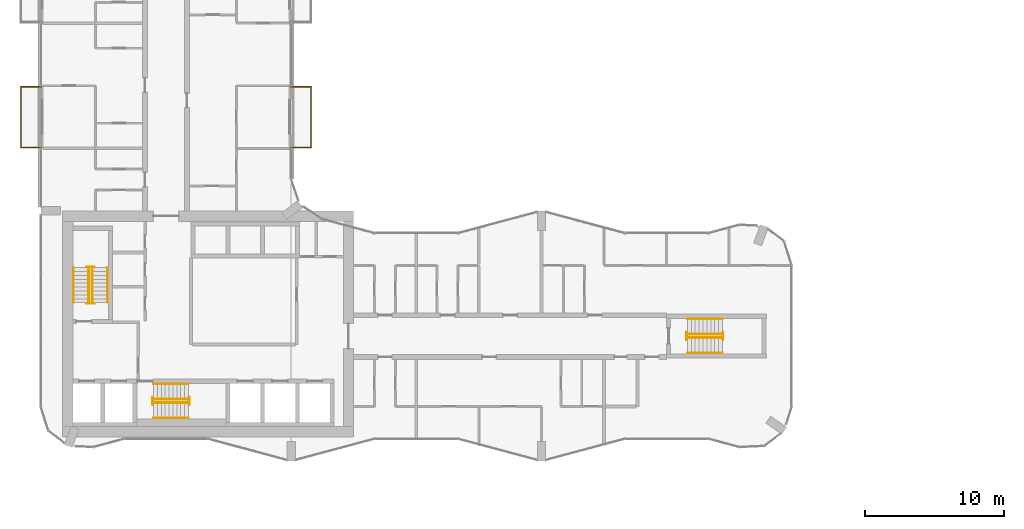
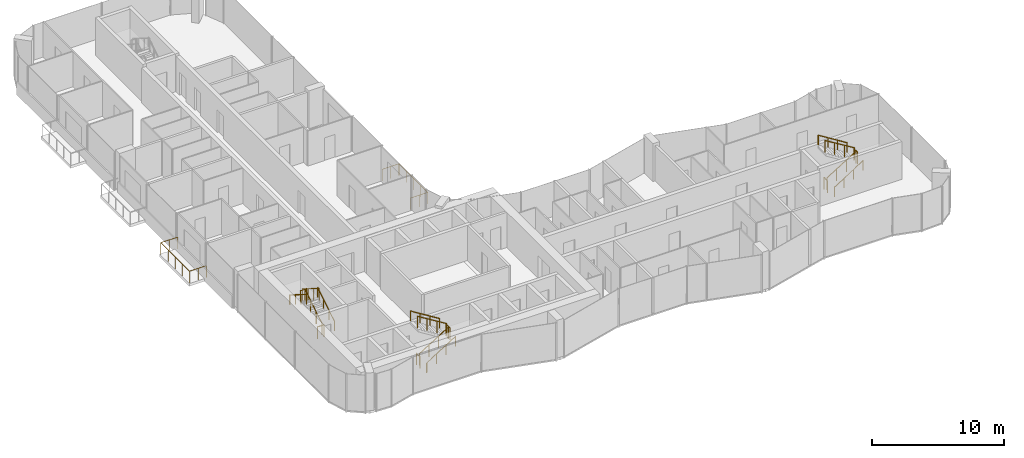
# One storey, part 21 of 23: 20 railings.
"""IFC4 building model written with IfcOpenShell, lengths in metres."""

from ifc_helpers import new_model, si_unit, direction, frame, origin, origin_2d, place, context, subcontext, project, spatial, circle, extrude, material, type_object, element, save


model = new_model("IFC4")

# Units and contexts
model_context = context("Model", 3, precision=1e-05, world=origin(), true_north=direction((0.0, 1.0)))
body_context = subcontext(model_context, "Body", "Model", "MODEL_VIEW")
ifc_project = project(units=[si_unit("LENGTHUNIT", "METRE"), si_unit("AREAUNIT", "SQUARE_METRE"), si_unit("VOLUMEUNIT", "CUBIC_METRE"), si_unit("PLANEANGLEUNIT", "RADIAN"), si_unit("MASSUNIT", "GRAM", prefix="KILO")], contexts=[model_context])

# Site, building, storey
site_placement = place(None, origin())
site = spatial("IfcSite", under=ifc_project, at=site_placement, CompositionType="ELEMENT")
building_placement = place(site_placement, origin())
building = spatial("IfcBuilding", under=site, at=building_placement, Name="Plateau Cross Towers", CompositionType="ELEMENT")
storey_placement = place(building_placement, frame((0.0, 0.0, 40.800048828125)))
storey = spatial("IfcBuildingStorey", under=building, at=storey_placement, Name="L09", CompositionType="ELEMENT", Elevation=40.800048828125)

# Railings
ifc_material_1 = material(Name="Stainless steel and toughened glass", Category="steel")
railing_type_1 = type_object("IfcRailingType", Name="Glass balustrade guard 1100", PredefinedType="GUARDRAIL", material=ifc_material_1)
railing_1_placement = place(storey_placement, frame((0.050048828125, 22.570068359375, 0.0)))
element("IfcRailing", 1, at=railing_1_placement, inside=storey, type_object=railing_type_1, Name="Guard guard1", PredefinedType="GUARDRAIL", context=body_context, shape_type="SweptSolid", body=[
    extrude(circle(Radius=0.02392578125, at=origin_2d()), frame((0.0, 0.0, 1.076171875), z_axis=(-1.0, 0.0, 0.0), x_axis=(0.0, -1.0, 0.0)), (0.0, 0.0, 1.0), 1.47998046875),
    extrude(circle(Radius=0.02392578125, at=origin_2d()), frame((-1.47998046875, 0.0, 1.076171875), z_axis=(0.0, 1.0, 0.0), x_axis=(-1.0, 0.0, 0.0)), (0.0, 0.0, 1.0), 4.35986328125),
    extrude(circle(Radius=0.02392578125, at=origin_2d()), frame((-1.47998046875, 4.35986328125, 1.076171875), z_axis=(1.0, 0.0, 0.0), x_axis=(0.0, 1.0, 0.0)), (0.0, 0.0, 1.0), 1.47998046875),
    extrude(circle(Radius=0.02099609375, at=origin_2d()), origin(), (0.0, 0.0, 1.0), 1.052001953125),
    extrude(circle(Radius=0.02099609375, at=origin_2d()), frame((-0.739990234375, 0.0, 0.0)), (0.0, 0.0, 1.0), 1.052001953125),
    extrude(circle(Radius=0.02099609375, at=origin_2d()), frame((-1.47998046875, 0.0, 0.0)), (0.0, 0.0, 1.0), 1.052001953125),
    extrude(circle(Radius=0.02099609375, at=origin_2d()), frame((-1.47998046875, 1.08984375, 0.0)), (0.0, 0.0, 1.0), 1.052001953125),
    extrude(circle(Radius=0.02099609375, at=origin_2d()), frame((-1.47998046875, 2.179931640625, 0.0)), (0.0, 0.0, 1.0), 1.052001953125),
    extrude(circle(Radius=0.02099609375, at=origin_2d()), frame((-1.47998046875, 3.27001953125, 0.0)), (0.0, 0.0, 1.0), 1.052001953125),
    extrude(circle(Radius=0.02099609375, at=origin_2d()), frame((-1.47998046875, 4.35986328125, 0.0)), (0.0, 0.0, 1.0), 1.052001953125),
    extrude(circle(Radius=0.02099609375, at=origin_2d()), frame((-0.739990234375, 4.35986328125, 0.0)), (0.0, 0.0, 1.0), 1.052001953125),
    extrude(circle(Radius=0.02099609375, at=origin_2d()), frame((0.0, 4.35986328125, 0.0)), (0.0, 0.0, 1.0), 1.052001953125),
])
railing_2_placement = place(storey_placement, frame((17.949951171875, 26.929931640625, 0.0)))
element("IfcRailing", 2, at=railing_2_placement, inside=storey, type_object=railing_type_1, Name="Guard guard1", PredefinedType="GUARDRAIL", context=body_context, shape_type="SweptSolid", body=[
    extrude(circle(Radius=0.02392578125, at=origin_2d()), frame((0.0, 0.0, 1.076171875), z_axis=(1.0, 0.0, 0.0), x_axis=(0.0, 1.0, 0.0)), (0.0, 0.0, 1.0), 1.47998046875),
    extrude(circle(Radius=0.02392578125, at=origin_2d()), frame((1.47998046875, 0.0, 1.076171875), z_axis=(0.0, -1.0, 0.0), x_axis=(1.0, 0.0, 0.0)), (0.0, 0.0, 1.0), 4.35986328125),
    extrude(circle(Radius=0.02392578125, at=origin_2d()), frame((1.47998046875, -4.35986328125, 1.076171875), z_axis=(-1.0, 0.0, 0.0), x_axis=(0.0, -1.0, 0.0)), (0.0, 0.0, 1.0), 1.47998046875),
    extrude(circle(Radius=0.02099609375, at=origin_2d()), origin(), (0.0, 0.0, 1.0), 1.052001953125),
    extrude(circle(Radius=0.02099609375, at=origin_2d()), frame((0.739990234375, 0.0, 0.0)), (0.0, 0.0, 1.0), 1.052001953125),
    extrude(circle(Radius=0.02099609375, at=origin_2d()), frame((1.47998046875, 0.0, 0.0)), (0.0, 0.0, 1.0), 1.052001953125),
    extrude(circle(Radius=0.02099609375, at=origin_2d()), frame((1.47998046875, -1.08984375, 0.0)), (0.0, 0.0, 1.0), 1.052001953125),
    extrude(circle(Radius=0.02099609375, at=origin_2d()), frame((1.47998046875, -2.179931640625, 0.0)), (0.0, 0.0, 1.0), 1.052001953125),
    extrude(circle(Radius=0.02099609375, at=origin_2d()), frame((1.47998046875, -3.27001953125, 0.0)), (0.0, 0.0, 1.0), 1.052001953125),
    extrude(circle(Radius=0.02099609375, at=origin_2d()), frame((1.47998046875, -4.35986328125, 0.0)), (0.0, 0.0, 1.0), 1.052001953125),
    extrude(circle(Radius=0.02099609375, at=origin_2d()), frame((0.739990234375, -4.35986328125, 0.0)), (0.0, 0.0, 1.0), 1.052001953125),
    extrude(circle(Radius=0.02099609375, at=origin_2d()), frame((0.0, -4.35986328125, 0.0)), (0.0, 0.0, 1.0), 1.052001953125),
])
railing_type_2 = type_object("IfcRailingType", Name="RL-GUARD-1100", PredefinedType="GUARDRAIL", material=ifc_material_1)
railing_3_placement = place(storey_placement, frame((3.699951171875, 11.39990234375, 0.175048828125)))
element("IfcRailing", 3, at=railing_3_placement, inside=storey, type_object=railing_type_2, Name="L09 ST-1 stair guard 1", PredefinedType="GUARDRAIL", context=body_context, shape_type="SweptSolid", body=[
    extrude(circle(Radius=0.02392578125, at=origin_2d()), frame((0.0, 0.0, 1.076171875), z_axis=(0.0, 0.848007534815, 0.529984170421), x_axis=(-1.0, 0.0, 0.0)), (0.0, 0.0, 1.0), 2.9716796875),
    extrude(circle(Radius=0.02099609375, at=origin_2d()), origin(), (0.0, 0.0, 1.0), 1.052001953125),
    extrude(circle(Radius=0.02099609375, at=origin_2d()), frame((0.0, 0.840087890625, 0.52490234375)), (0.0, 0.0, 1.0), 1.052001953125),
    extrude(circle(Radius=0.02099609375, at=origin_2d()), frame((0.0, 1.679931640625, 1.050048828125)), (0.0, 0.0, 1.0), 1.052001953125),
    extrude(circle(Radius=0.02099609375, at=origin_2d()), frame((0.0, 2.52001953125, 1.574951171875)), (0.0, 0.0, 1.0), 1.052001953125),
])
railing_4_placement = place(storey_placement, frame((3.85009765625, 13.969970703125, 1.75)))
element("IfcRailing", 4, at=railing_4_placement, inside=storey, type_object=railing_type_2, Name="L09 ST-1 stair guard 2", PredefinedType="GUARDRAIL", context=body_context, shape_type="SweptSolid", body=[
    extrude(circle(Radius=0.02392578125, at=origin_2d()), frame((0.0, 0.0, 1.076171875), z_axis=(-1.0, 0.0, 0.0), x_axis=(0.0, -1.0, 0.0)), (0.0, 0.0, 1.0), 0.550048828125),
    extrude(circle(Radius=0.02099609375, at=origin_2d()), origin(), (0.0, 0.0, 1.0), 1.052001953125),
    extrude(circle(Radius=0.02099609375, at=origin_2d()), frame((-0.550048828125, 0.0, 0.0)), (0.0, 0.0, 1.0), 1.052001953125),
])
railing_5_placement = place(storey_placement, frame((3.449951171875, 13.919921875, 1.925048828125)))
element("IfcRailing", 5, at=railing_5_placement, inside=storey, type_object=railing_type_2, Name="L09 ST-1 stair guard 3", PredefinedType="GUARDRAIL", context=body_context, shape_type="SweptSolid", body=[
    extrude(circle(Radius=0.02392578125, at=origin_2d()), frame((0.0, 0.0, 1.076171875), z_axis=(0.0, -0.852616386126, 0.522537365276), x_axis=(1.0, 0.0, 0.0)), (0.0, 0.0, 1.0), 3.01416015625),
    extrude(circle(Radius=0.02099609375, at=origin_2d()), origin(), (0.0, 0.0, 1.0), 1.052001953125),
    extrude(circle(Radius=0.02099609375, at=origin_2d()), frame((0.0, -0.856689453125, 0.52490234375)), (0.0, 0.0, 1.0), 1.052001953125),
    extrude(circle(Radius=0.02099609375, at=origin_2d()), frame((0.0, -1.713134765625, 1.050048828125)), (0.0, 0.0, 1.0), 1.052001953125),
    extrude(circle(Radius=0.02099609375, at=origin_2d()), frame((0.0, -2.56982421875, 1.574951171875)), (0.0, 0.0, 1.0), 1.052001953125),
])
railing_6_placement = place(storey_placement, frame((3.85009765625, 11.35009765625, 0.0)))
element("IfcRailing", 6, at=railing_6_placement, inside=storey, type_object=railing_type_2, Name="L09 ST-1 stair guard 4", PredefinedType="GUARDRAIL", context=body_context, shape_type="SweptSolid", body=[
    extrude(circle(Radius=0.02392578125, at=origin_2d()), frame((0.0, 0.0, 1.076171875), z_axis=(-1.0, 0.0, 0.0), x_axis=(0.0, -1.0, 0.0)), (0.0, 0.0, 1.0), 0.550048828125),
    extrude(circle(Radius=0.02099609375, at=origin_2d()), origin(), (0.0, 0.0, 1.0), 1.052001953125),
    extrude(circle(Radius=0.02099609375, at=origin_2d()), frame((-0.550048828125, 0.0, 0.0)), (0.0, 0.0, 1.0), 1.052001953125),
])
railing_7_placement = place(storey_placement, frame((8.10009765625, 4.199951171875, 0.175048828125)))
element("IfcRailing", 7, at=railing_7_placement, inside=storey, type_object=railing_type_2, Name="L09 ST-2 stair guard 1", PredefinedType="GUARDRAIL", context=body_context, shape_type="SweptSolid", body=[
    extrude(circle(Radius=0.02392578125, at=origin_2d()), frame((0.0, 0.0, 1.076171875), z_axis=(0.848007534815, 0.0, 0.529984170421), x_axis=(0.0, 1.0, 0.0)), (0.0, 0.0, 1.0), 2.9716796875),
    extrude(circle(Radius=0.02099609375, at=origin_2d()), origin(), (0.0, 0.0, 1.0), 1.052001953125),
    extrude(circle(Radius=0.02099609375, at=origin_2d()), frame((0.840087890625, 0.0, 0.52490234375)), (0.0, 0.0, 1.0), 1.052001953125),
    extrude(circle(Radius=0.02099609375, at=origin_2d()), frame((1.679931640625, 0.0, 1.050048828125)), (0.0, 0.0, 1.0), 1.052001953125),
    extrude(circle(Radius=0.02099609375, at=origin_2d()), frame((2.52001953125, 0.0, 1.574951171875)), (0.0, 0.0, 1.0), 1.052001953125),
])
railing_8_placement = place(storey_placement, frame((10.669921875, 4.050048828125, 1.75)))
element("IfcRailing", 8, at=railing_8_placement, inside=storey, type_object=railing_type_2, Name="L09 ST-2 stair guard 2", PredefinedType="GUARDRAIL", context=body_context, shape_type="SweptSolid", body=[
    extrude(circle(Radius=0.02392578125, at=origin_2d()), frame((0.0, 0.0, 1.076171875), z_axis=(0.0, 1.0, 0.0), x_axis=(-1.0, 0.0, 0.0)), (0.0, 0.0, 1.0), 0.550048828125),
    extrude(circle(Radius=0.02099609375, at=origin_2d()), origin(), (0.0, 0.0, 1.0), 1.052001953125),
    extrude(circle(Radius=0.02099609375, at=origin_2d()), frame((0.0, 0.550048828125, 0.0)), (0.0, 0.0, 1.0), 1.052001953125),
])
railing_9_placement = place(storey_placement, frame((10.6201171875, 4.449951171875, 1.925048828125)))
element("IfcRailing", 9, at=railing_9_placement, inside=storey, type_object=railing_type_2, Name="L09 ST-2 stair guard 3", PredefinedType="GUARDRAIL", context=body_context, shape_type="SweptSolid", body=[
    extrude(circle(Radius=0.02392578125, at=origin_2d()), frame((0.0, 0.0, 1.076171875), z_axis=(-0.852638500773, 0.0, 0.522501279423), x_axis=(0.0, -1.0, 0.0)), (0.0, 0.0, 1.0), 3.01416015625),
    extrude(circle(Radius=0.02099609375, at=origin_2d()), origin(), (0.0, 0.0, 1.0), 1.052001953125),
    extrude(circle(Radius=0.02099609375, at=origin_2d()), frame((-0.856689453125, 0.0, 0.52490234375)), (0.0, 0.0, 1.0), 1.052001953125),
    extrude(circle(Radius=0.02099609375, at=origin_2d()), frame((-1.71337890625, 0.0, 1.050048828125)), (0.0, 0.0, 1.0), 1.052001953125),
    extrude(circle(Radius=0.02099609375, at=origin_2d()), frame((-2.570068359375, 0.0, 1.574951171875)), (0.0, 0.0, 1.0), 1.052001953125),
])
railing_10_placement = place(storey_placement, frame((8.050048828125, 4.050048828125, 0.0)))
element("IfcRailing", 10, at=railing_10_placement, inside=storey, type_object=railing_type_2, Name="L09 ST-2 stair guard 4", PredefinedType="GUARDRAIL", context=body_context, shape_type="SweptSolid", body=[
    extrude(circle(Radius=0.02392578125, at=origin_2d()), frame((0.0, 0.0, 1.076171875), z_axis=(0.0, 1.0, 0.0), x_axis=(-1.0, 0.0, 0.0)), (0.0, 0.0, 1.0), 0.550048828125),
    extrude(circle(Radius=0.02099609375, at=origin_2d()), origin(), (0.0, 0.0, 1.0), 1.052001953125),
    extrude(circle(Radius=0.02099609375, at=origin_2d()), frame((0.0, 0.550048828125, 0.0)), (0.0, 0.0, 1.0), 1.052001953125),
])
railing_11_placement = place(storey_placement, frame((46.5, 8.875, 0.175048828125)))
element("IfcRailing", 11, at=railing_11_placement, inside=storey, type_object=railing_type_2, Name="L09 ES-E stair guard 1", PredefinedType="GUARDRAIL", context=body_context, shape_type="SweptSolid", body=[
    extrude(circle(Radius=0.02392578125, at=origin_2d()), frame((0.0, 0.0, 1.076171875), z_axis=(0.848007534815, 0.0, 0.529984170421), x_axis=(0.0, 1.0, 0.0)), (0.0, 0.0, 1.0), 2.9716796875),
    extrude(circle(Radius=0.02099609375, at=origin_2d()), origin(), (0.0, 0.0, 1.0), 1.052001953125),
    extrude(circle(Radius=0.02099609375, at=origin_2d()), frame((0.840087890625, 0.0, 0.52490234375)), (0.0, 0.0, 1.0), 1.052001953125),
    extrude(circle(Radius=0.02099609375, at=origin_2d()), frame((1.679931640625, 0.0, 1.050048828125)), (0.0, 0.0, 1.0), 1.052001953125),
    extrude(circle(Radius=0.02099609375, at=origin_2d()), frame((2.52001953125, 0.0, 1.574951171875)), (0.0, 0.0, 1.0), 1.052001953125),
])
railing_12_placement = place(storey_placement, frame((49.070068359375, 8.72509765625, 1.75)))
element("IfcRailing", 12, at=railing_12_placement, inside=storey, type_object=railing_type_2, Name="L09 ES-E stair guard 2", PredefinedType="GUARDRAIL", context=body_context, shape_type="SweptSolid", body=[
    extrude(circle(Radius=0.02392578125, at=origin_2d()), frame((0.0, 0.0, 1.076171875), z_axis=(0.0, 1.0, 0.0), x_axis=(-1.0, 0.0, 0.0)), (0.0, 0.0, 1.0), 0.5498046875),
    extrude(circle(Radius=0.02099609375, at=origin_2d()), origin(), (0.0, 0.0, 1.0), 1.052001953125),
    extrude(circle(Radius=0.02099609375, at=origin_2d()), frame((0.0, 0.5498046875, 0.0)), (0.0, 0.0, 1.0), 1.052001953125),
])
railing_13_placement = place(storey_placement, frame((49.02001953125, 9.125, 1.925048828125)))
element("IfcRailing", 13, at=railing_13_placement, inside=storey, type_object=railing_type_2, Name="L09 ES-E stair guard 3", PredefinedType="GUARDRAIL", context=body_context, shape_type="SweptSolid", body=[
    extrude(circle(Radius=0.02392578125, at=origin_2d()), frame((0.0, 0.0, 1.076171875), z_axis=(-0.852638500773, 0.0, 0.522501279423), x_axis=(0.0, -1.0, 0.0)), (0.0, 0.0, 1.0), 3.01416015625),
    extrude(circle(Radius=0.02099609375, at=origin_2d()), origin(), (0.0, 0.0, 1.0), 1.052001953125),
    extrude(circle(Radius=0.02099609375, at=origin_2d()), frame((-0.856689453125, 0.0, 0.52490234375)), (0.0, 0.0, 1.0), 1.052001953125),
    extrude(circle(Radius=0.02099609375, at=origin_2d()), frame((-1.71337890625, 0.0, 1.050048828125)), (0.0, 0.0, 1.0), 1.052001953125),
    extrude(circle(Radius=0.02099609375, at=origin_2d()), frame((-2.570068359375, 0.0, 1.574951171875)), (0.0, 0.0, 1.0), 1.052001953125),
])
railing_14_placement = place(storey_placement, frame((46.449951171875, 8.72509765625, 0.0)))
element("IfcRailing", 14, at=railing_14_placement, inside=storey, type_object=railing_type_2, Name="L09 ES-E stair guard 4", PredefinedType="GUARDRAIL", context=body_context, shape_type="SweptSolid", body=[
    extrude(circle(Radius=0.02392578125, at=origin_2d()), frame((0.0, 0.0, 1.076171875), z_axis=(0.0, 1.0, 0.0), x_axis=(-1.0, 0.0, 0.0)), (0.0, 0.0, 1.0), 0.5498046875),
    extrude(circle(Radius=0.02099609375, at=origin_2d()), origin(), (0.0, 0.0, 1.0), 1.052001953125),
    extrude(circle(Radius=0.02099609375, at=origin_2d()), frame((0.0, 0.5498046875, 0.0)), (0.0, 0.0, 1.0), 1.052001953125),
])
ifc_material_2 = material(Name="Black anodised aluminium", Category="aluminium")
railing_type_3 = type_object("IfcRailingType", Name="RL-HANDRAIL-900", PredefinedType="HANDRAIL", material=ifc_material_2)
railing_15_placement = place(storey_placement, frame((4.800048828125, 11.39990234375, 0.175048828125)))
element("IfcRailing", 15, at=railing_15_placement, inside=storey, type_object=railing_type_3, Name="L09 ST-1 stair handrail 1", PredefinedType="HANDRAIL", context=body_context, shape_type="SweptSolid", body=[
    extrude(circle(Radius=0.02392578125, at=origin_2d()), frame((0.0, 0.0, 0.8759765625), z_axis=(0.0, 0.848007534815, 0.529984170421), x_axis=(-1.0, 0.0, 0.0)), (0.0, 0.0, 1.0), 2.9716796875),
    extrude(circle(Radius=0.02099609375, at=origin_2d()), origin(), (0.0, 0.0, 1.0), 0.851806640625),
    extrude(circle(Radius=0.02099609375, at=origin_2d()), frame((0.0, 0.840087890625, 0.52490234375)), (0.0, 0.0, 1.0), 0.851806640625),
    extrude(circle(Radius=0.02099609375, at=origin_2d()), frame((0.0, 1.679931640625, 1.050048828125)), (0.0, 0.0, 1.0), 0.851806640625),
    extrude(circle(Radius=0.02099609375, at=origin_2d()), frame((0.0, 2.52001953125, 1.574951171875)), (0.0, 0.0, 1.0), 0.851806640625),
])
railing_16_placement = place(storey_placement, frame((2.35009765625, 13.919921875, 1.925048828125)))
element("IfcRailing", 16, at=railing_16_placement, inside=storey, type_object=railing_type_3, Name="L09 ST-1 stair handrail 2", PredefinedType="HANDRAIL", context=body_context, shape_type="SweptSolid", body=[
    extrude(circle(Radius=0.02392578125, at=origin_2d()), frame((0.0, 0.0, 0.8759765625), z_axis=(0.0, -0.848007534815, 0.529984170421), x_axis=(1.0, 0.0, 0.0)), (0.0, 0.0, 1.0), 2.9716796875),
    extrude(circle(Radius=0.02099609375, at=origin_2d()), origin(), (0.0, 0.0, 1.0), 0.851806640625),
    extrude(circle(Radius=0.02099609375, at=origin_2d()), frame((0.0, -0.840087890625, 0.52490234375)), (0.0, 0.0, 1.0), 0.851806640625),
    extrude(circle(Radius=0.02099609375, at=origin_2d()), frame((0.0, -1.679931640625, 1.050048828125)), (0.0, 0.0, 1.0), 0.851806640625),
    extrude(circle(Radius=0.02099609375, at=origin_2d()), frame((0.0, -2.52001953125, 1.574951171875)), (0.0, 0.0, 1.0), 0.851806640625),
])
railing_17_placement = place(storey_placement, frame((8.10009765625, 3.10009765625, 0.175048828125)))
element("IfcRailing", 17, at=railing_17_placement, inside=storey, type_object=railing_type_3, Name="L09 ST-2 stair handrail 1", PredefinedType="HANDRAIL", context=body_context, shape_type="SweptSolid", body=[
    extrude(circle(Radius=0.02392578125, at=origin_2d()), frame((0.0, 0.0, 0.8759765625), z_axis=(0.848007534815, 0.0, 0.529984170421), x_axis=(0.0, 1.0, 0.0)), (0.0, 0.0, 1.0), 2.9716796875),
    extrude(circle(Radius=0.02099609375, at=origin_2d()), origin(), (0.0, 0.0, 1.0), 0.851806640625),
    extrude(circle(Radius=0.02099609375, at=origin_2d()), frame((0.840087890625, 0.0, 0.52490234375)), (0.0, 0.0, 1.0), 0.851806640625),
    extrude(circle(Radius=0.02099609375, at=origin_2d()), frame((1.679931640625, 0.0, 1.050048828125)), (0.0, 0.0, 1.0), 0.851806640625),
    extrude(circle(Radius=0.02099609375, at=origin_2d()), frame((2.52001953125, 0.0, 1.574951171875)), (0.0, 0.0, 1.0), 0.851806640625),
])
railing_18_placement = place(storey_placement, frame((10.6201171875, 5.550048828125, 1.925048828125)))
element("IfcRailing", 18, at=railing_18_placement, inside=storey, type_object=railing_type_3, Name="L09 ST-2 stair handrail 2", PredefinedType="HANDRAIL", context=body_context, shape_type="SweptSolid", body=[
    extrude(circle(Radius=0.02392578125, at=origin_2d()), frame((0.0, 0.0, 0.8759765625), z_axis=(-0.848007534815, 0.0, 0.529984170421), x_axis=(0.0, -1.0, 0.0)), (0.0, 0.0, 1.0), 2.9716796875),
    extrude(circle(Radius=0.02099609375, at=origin_2d()), origin(), (0.0, 0.0, 1.0), 0.851806640625),
    extrude(circle(Radius=0.02099609375, at=origin_2d()), frame((-0.840087890625, 0.0, 0.52490234375)), (0.0, 0.0, 1.0), 0.851806640625),
    extrude(circle(Radius=0.02099609375, at=origin_2d()), frame((-1.679931640625, 0.0, 1.050048828125)), (0.0, 0.0, 1.0), 0.851806640625),
    extrude(circle(Radius=0.02099609375, at=origin_2d()), frame((-2.52001953125, 0.0, 1.574951171875)), (0.0, 0.0, 1.0), 0.851806640625),
])
railing_19_placement = place(storey_placement, frame((46.5, 7.77490234375, 0.175048828125)))
element("IfcRailing", 19, at=railing_19_placement, inside=storey, type_object=railing_type_3, Name="L09 ES-E stair handrail 1", PredefinedType="HANDRAIL", context=body_context, shape_type="SweptSolid", body=[
    extrude(circle(Radius=0.02392578125, at=origin_2d()), frame((0.0, 0.0, 0.8759765625), z_axis=(0.848007534815, 0.0, 0.529984170421), x_axis=(0.0, 1.0, 0.0)), (0.0, 0.0, 1.0), 2.9716796875),
    extrude(circle(Radius=0.02099609375, at=origin_2d()), origin(), (0.0, 0.0, 1.0), 0.851806640625),
    extrude(circle(Radius=0.02099609375, at=origin_2d()), frame((0.840087890625, 0.0, 0.52490234375)), (0.0, 0.0, 1.0), 0.851806640625),
    extrude(circle(Radius=0.02099609375, at=origin_2d()), frame((1.679931640625, 0.0, 1.050048828125)), (0.0, 0.0, 1.0), 0.851806640625),
    extrude(circle(Radius=0.02099609375, at=origin_2d()), frame((2.52001953125, 0.0, 1.574951171875)), (0.0, 0.0, 1.0), 0.851806640625),
])
railing_20_placement = place(storey_placement, frame((49.02001953125, 10.22509765625, 1.925048828125)))
element("IfcRailing", 20, at=railing_20_placement, inside=storey, type_object=railing_type_3, Name="L09 ES-E stair handrail 2", PredefinedType="HANDRAIL", context=body_context, shape_type="SweptSolid", body=[
    extrude(circle(Radius=0.02392578125, at=origin_2d()), frame((0.0, 0.0, 0.8759765625), z_axis=(-0.848007534815, 0.0, 0.529984170421), x_axis=(0.0, -1.0, 0.0)), (0.0, 0.0, 1.0), 2.9716796875),
    extrude(circle(Radius=0.02099609375, at=origin_2d()), origin(), (0.0, 0.0, 1.0), 0.851806640625),
    extrude(circle(Radius=0.02099609375, at=origin_2d()), frame((-0.840087890625, 0.0, 0.52490234375)), (0.0, 0.0, 1.0), 0.851806640625),
    extrude(circle(Radius=0.02099609375, at=origin_2d()), frame((-1.679931640625, 0.0, 1.050048828125)), (0.0, 0.0, 1.0), 0.851806640625),
    extrude(circle(Radius=0.02099609375, at=origin_2d()), frame((-2.52001953125, 0.0, 1.574951171875)), (0.0, 0.0, 1.0), 0.851806640625),
])

save(model, "model.ifc")
